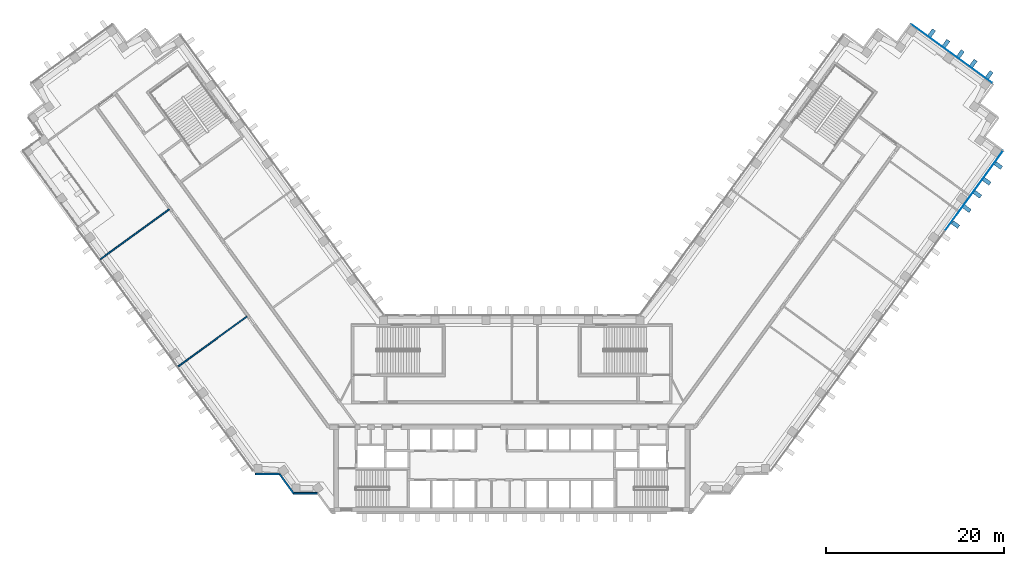
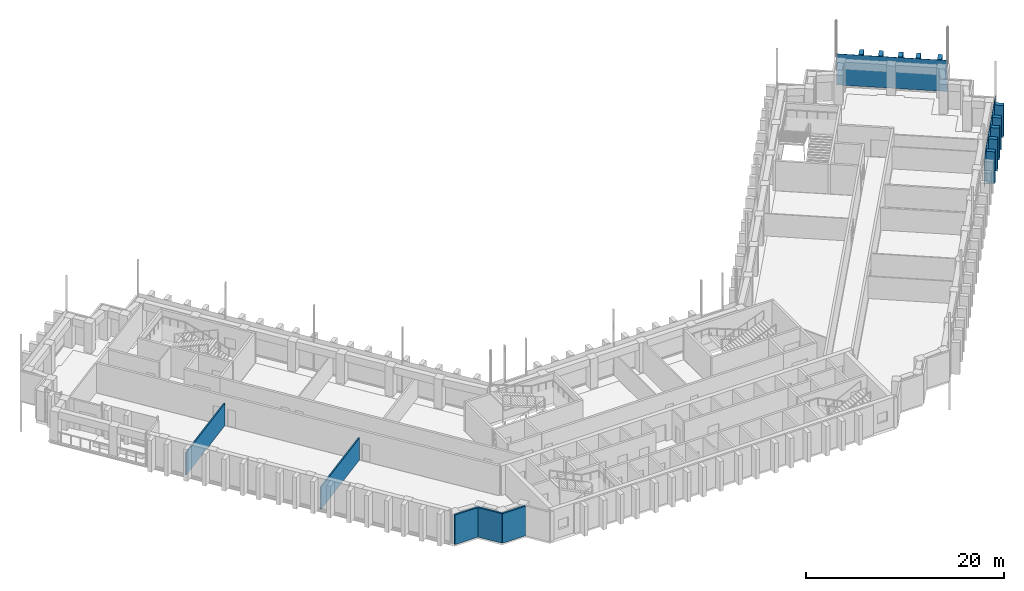
# One storey, part 10 of 19: 12 plates, 5 walls, 2 elements without a shape of their own.
"""IFC4 building model written with IfcOpenShell, lengths in metres."""

import ifcopenshell
import ifcopenshell.guid

model = None  # the IFC model being written
_history = None  # IfcOwnerHistory: only IFC2X3 demands one
_inside = {}  # id of a spatial element -> (the spatial element, [elements in it])
_under = {}  # id of a project, library or spatial element -> (it, [spatial elements below it])
_declared = {}  # id of a project -> (the project, [libraries it declares])
_typed = {}  # id of a type object -> (the type object, [elements of that type])
_made_of = {}  # id of a material, layer set ... -> (it, [elements and type objects made of it])


def new_model(schema):
    """Start an empty IFC model of exactly this schema.

    Asked for "IFC4X3", IfcOpenShell would pick the latest addendum, in which some entities
    have other attributes; the version numbers below select the first issue.
    IFC2X3 requires an IfcOwnerHistory on every rooted entity: one is made here for all.
    """
    global model, _history
    if schema == "IFC4X3":
        model = ifcopenshell.file(schema_version=(4, 3, 0, 0))
    else:
        model = ifcopenshell.file(schema=schema)
    _inside.clear()
    _under.clear()
    _declared.clear()
    _typed.clear()
    _made_of.clear()
    _history = None
    if model.schema == "IFC2X3":
        org = make("IfcOrganization", Name="unknown")
        user = make(
            "IfcPersonAndOrganization",
            ThePerson=make("IfcPerson", FamilyName="unknown"),
            TheOrganization=org,
        )
        app = make(
            "IfcApplication",
            ApplicationDeveloper=org,
            Version="unknown",
            ApplicationFullName="unknown",
            ApplicationIdentifier="unknown",
        )
        _history = make(
            "IfcOwnerHistory",
            OwningUser=user,
            OwningApplication=app,
            ChangeAction="ADDED",
            CreationDate=0,
        )
    return model


def make(cls, **values):
    """One entity of the class cls with the attributes given. An attribute that is None is left unset."""
    return model.create_entity(
        cls, **{name: value for name, value in values.items() if value is not None}
    )


def rooted(cls, **values):
    """An entity with a GlobalId (a new one), such as an element, a storey or a relation."""
    return make(cls, GlobalId=ifcopenshell.guid.new(), OwnerHistory=_history, **values)


def si_unit(unit_type, name, prefix=None):
    """IfcSIUnit, for example si_unit("LENGTHUNIT", "METRE", prefix="MILLI")."""
    return make("IfcSIUnit", UnitType=unit_type, Prefix=prefix, Name=name)


def assignment(units):
    """IfcUnitAssignment: the units of a project."""
    return None if units is None else make("IfcUnitAssignment", Units=units)


def point(xyz):
    """IfcCartesianPoint."""
    return None if xyz is None else make("IfcCartesianPoint", Coordinates=xyz)


def direction(xyz):
    """IfcDirection."""
    return None if xyz is None else make("IfcDirection", DirectionRatios=xyz)


def frame(location, z_axis=None, x_axis=None):
    """IfcAxis2Placement3D, a coordinate frame: its origin and axes. An axis left out is left unset."""
    return make(
        "IfcAxis2Placement3D",
        Location=point(location),
        Axis=direction(z_axis),
        RefDirection=direction(x_axis),
    )


def frame_2d(location, x_axis=None):
    """IfcAxis2Placement2D, a coordinate frame in the plane: its origin and x axis."""
    return make(
        "IfcAxis2Placement2D", Location=point(location), RefDirection=direction(x_axis)
    )


def origin():
    """The frame at (0, 0, 0) with its axes left unset."""
    return frame((0.0, 0.0, 0.0))


def origin_2d():
    """The frame at (0, 0) in the plane with its x axis left unset."""
    return frame_2d((0.0, 0.0))


def place(relative_to, where):
    """IfcLocalPlacement: puts the frame where relative to a parent placement (None: the world)."""
    return make(
        "IfcLocalPlacement", PlacementRelTo=relative_to, RelativePlacement=where
    )


def context(
    kind, dimensions, precision=None, world=None, true_north=None, identifier=None
):
    """IfcGeometricRepresentationContext, for example the 3D "Model" context."""
    return make(
        "IfcGeometricRepresentationContext",
        ContextIdentifier=identifier,
        ContextType=kind,
        CoordinateSpaceDimension=dimensions,
        Precision=precision,
        WorldCoordinateSystem=world,
        TrueNorth=true_north,
    )


def subcontext(parent, identifier, kind, view, scale=None):
    """IfcGeometricRepresentationSubContext, for example "Body" below "Model"."""
    return make(
        "IfcGeometricRepresentationSubContext",
        ContextIdentifier=identifier,
        ContextType=kind,
        ParentContext=parent,
        TargetScale=scale,
        TargetView=view,
    )


def project(units=None, contexts=None):
    """IfcProject with its units and contexts."""
    return rooted(
        "IfcProject",
        Name="project",
        RepresentationContexts=contexts,
        UnitsInContext=assignment(units),
    )


def spatial(cls, under=None, at=None, **own):
    """A site, building, storey or space (cls), placed at a placement, below another one or the project."""
    s = rooted(cls, ObjectPlacement=at, **own)
    if under is not None:
        _under.setdefault(under.id(), (under, []))[1].append(s)
    return s


def profile(cls, at=None, kind="AREA", **sizes):
    """A parametric profile (cls). Its sizes go by their IFC names, for example OverallWidth=200.0."""
    return make(cls, ProfileType=kind, Position=at, **sizes)


def rectangle(**sizes):
    """IfcRectangleProfileDef."""
    return profile("IfcRectangleProfileDef", **sizes)


def extrude(swept, where, along, depth):
    """IfcExtrudedAreaSolid: the profile swept, set in the frame where, extruded along a direction by depth."""
    return make(
        "IfcExtrudedAreaSolid",
        SweptArea=swept,
        Position=where,
        ExtrudedDirection=direction(along),
        Depth=depth,
    )


def shape(context_of_items, identifier, shape_type, items):
    """IfcShapeRepresentation: the items that make up one representation, for example the "Body"."""
    return make(
        "IfcShapeRepresentation",
        ContextOfItems=context_of_items,
        RepresentationIdentifier=identifier,
        RepresentationType=shape_type,
        Items=items,
    )


def material(Name=None, Category=None):
    """IfcMaterial."""
    return make("IfcMaterial", Name=Name, Category=Category)


def layer(
    of_material, thickness, ventilated=None, Name=None, Category=None, Priority=None
):
    """IfcMaterialLayer: one layer of a wall or slab, of a material (None: an air gap)."""
    return make(
        "IfcMaterialLayer",
        Material=of_material,
        LayerThickness=thickness,
        IsVentilated=ventilated,
        Name=Name,
        Category=Category,
        Priority=Priority,
    )


def layer_set(layers, Name=None):
    """IfcMaterialLayerSet."""
    return make("IfcMaterialLayerSet", MaterialLayers=layers, LayerSetName=Name)


def made_of(thing, what):
    """Note that an element or type object is made of a material, layer set ...; save() writes the relation."""
    if what is not None:
        _made_of.setdefault(what.id(), (what, []))[1].append(thing)
    return thing


def type_object(cls, material=None, **own):
    """A type object (cls), such as IfcWallType, which elements share."""
    return made_of(rooted(cls, **own), material)


def element(
    cls,
    number,
    at=None,
    inside=None,
    cuts=None,
    type_object=None,
    material=None,
    context=None,
    identifier="Body",
    shape_type=None,
    held_by="IfcProductDefinitionShape",
    body=None,
    shapes=None,
    **own,
):
    """One element of the class cls, such as IfcWall. Its Tag is "e" and its number.

    at: its placement. inside: the storey or other place that contains it. cuts: it is an
    opening in that element (IfcRelVoidsElement). A single representation is given by context,
    identifier, shape_type and body (its items); several are given by shapes. held_by: the class
    of the entity that holds the representations. save() writes the other relations.
    """
    e = rooted(cls, Tag="e%d" % number, ObjectPlacement=at, **own)
    if body is not None:
        shapes = [shape(context, identifier, shape_type, body)]
    if shapes is not None:
        e.Representation = make(held_by, Representations=shapes)
    if inside is not None:
        _inside.setdefault(inside.id(), (inside, []))[1].append(e)
    if cuts is not None:
        rooted(
            "IfcRelVoidsElement", RelatingBuildingElement=cuts, RelatedOpeningElement=e
        )
    if type_object is not None:
        _typed.setdefault(type_object.id(), (type_object, []))[1].append(e)
    return made_of(e, material)


def aggregate(whole, parts):
    """IfcRelAggregates: a whole, such as a stair, and the parts it consists of."""
    return rooted("IfcRelAggregates", RelatingObject=whole, RelatedObjects=parts)


def save(model, path):
    """Write the relations noted so far, then the file.

    IfcRelAggregates (storeys below a building ...), IfcRelContainedInSpatialStructure (elements
    in a storey), IfcRelDefinesByType, IfcRelAssociatesMaterial and IfcRelDeclares: one each for
    every whole, place, type object, material and project.
    """
    for whole, parts in _under.values():
        aggregate(whole, parts)
    for where, things in _inside.values():
        rooted(
            "IfcRelContainedInSpatialStructure",
            RelatedElements=things,
            RelatingStructure=where,
        )
    for kind, things in _typed.values():
        rooted("IfcRelDefinesByType", RelatedObjects=things, RelatingType=kind)
    for what, things in _made_of.values():
        rooted("IfcRelAssociatesMaterial", RelatedObjects=things, RelatingMaterial=what)
    for by, libraries in _declared.values():
        rooted("IfcRelDeclares", RelatingContext=by, RelatedDefinitions=libraries)
    model.write(path)


model = new_model("IFC4")

# Units and contexts
model_context = context("Model", 3, precision=1e-05, world=origin(), true_north=direction((0.0, 1.0)))
body_context = subcontext(model_context, "Body", "Model", "MODEL_VIEW")
ifc_project = project(units=[si_unit("LENGTHUNIT", "METRE"), si_unit("AREAUNIT", "SQUARE_METRE"), si_unit("VOLUMEUNIT", "CUBIC_METRE"), si_unit("PLANEANGLEUNIT", "RADIAN"), si_unit("MASSUNIT", "GRAM", prefix="KILO")], contexts=[model_context])

# Site, building, storey
site_placement = place(None, origin())
site = spatial("IfcSite", under=ifc_project, at=site_placement, CompositionType="ELEMENT")
building_placement = place(site_placement, origin())
building = spatial("IfcBuilding", under=site, at=building_placement, Name="Quipu Civic Tower", CompositionType="ELEMENT")
storey_placement = place(building_placement, frame((0.0, 0.0, 35.0)))
storey = spatial("IfcBuildingStorey", under=building, at=storey_placement, Name="L07", CompositionType="ELEMENT", Elevation=35.0)

# Curtain wall, plate
ifc_material_1 = material(Name="Insulated glass unit", Category="glass")
curtain_wall_type = type_object("IfcCurtainWallType", Name="Office curtain wall CW1", PredefinedType="NOTDEFINED", material=ifc_material_1)
curtain_wall_1_placement = place(storey_placement, origin())
curtain_wall_1 = element("IfcCurtainWall", 1, at=curtain_wall_1_placement, inside=storey, type_object=curtain_wall_type, Name="Office curtain wall CW1 L06 run 16", PredefinedType="NOTDEFINED")
ifc_material_2 = material(Name="Insulated glass unit", Category="glass")
ifc_layer_1 = layer(ifc_material_2, 0.028076171875)
ifc_layer_set_1 = layer_set([ifc_layer_1], Name="Insulated glass unit")
plate_type_1 = type_object("IfcPlateType", Name="Glass panel CW1", PredefinedType="CURTAIN_PANEL", material=ifc_layer_set_1)
plate_1_placement = place(storey_placement, frame((51.967529296875, 25.114990234375, 0.16015625), z_axis=(0.0, 0.0, 1.0), x_axis=(0.587785559869, 0.809016770908, 0.0)))
plate_1 = element("IfcPlate", 2, at=plate_1_placement, type_object=plate_type_1, Name="CW1 panel 4.2", PredefinedType="CURTAIN_PANEL", context=body_context, shape_type="SweptSolid", body=[
    extrude(rectangle(XDim=11.022705078125, YDim=0.028076171875, at=origin_2d()), origin(), (0.0, 0.0, 1.0), 3.840087890625),
])
aggregate(curtain_wall_1, [plate_1])

curtain_wall_2_placement = place(storey_placement, origin())
curtain_wall_2 = element("IfcCurtainWall", 3, at=curtain_wall_2_placement, inside=storey, type_object=curtain_wall_type, Name="Office curtain wall CW1 L06 run 21", PredefinedType="NOTDEFINED")
plate_2_placement = place(storey_placement, frame((49.447998046875, 40.53173828125, 0.16015625), z_axis=(0.0, 0.0, 1.0), x_axis=(-0.809019348124, 0.587782012621, 0.0)))
plate_2 = element("IfcPlate", 4, at=plate_2_placement, type_object=plate_type_1, Name="CW1 panel 1.2", PredefinedType="CURTAIN_PANEL", context=body_context, shape_type="SweptSolid", body=[
    extrude(rectangle(XDim=11.239990234375, YDim=0.028076171875, at=origin_2d()), origin(), (0.0, 0.0, 1.0), 3.840087890625),
])
aggregate(curtain_wall_2, [plate_2])

# Plates
ifc_material_3 = material(Name="Precast concrete C40/50", Category="concrete")
plate_type_2 = type_object("IfcPlateType", Name="Precast fin F1", PredefinedType="SHEET", material=ifc_material_3)
for number, where, z_axis, x_axis, name in (
    (5, (49.882080078125, 21.30908203125, 0.080078125), (0.0, 0.0, 1.0), (0.587785716149, 0.809016657363, 0.0), "Precast fin F1 L07.P13.18"),
    (6, (51.17529296875, 23.0888671875, 0.080078125), (0.0, 0.0, 1.0), (0.587785716149, 0.809016657363, 0.0), "Precast fin F1 L07.P13.19"),
    (7, (52.350830078125, 24.706787109375, 0.080078125), (0.0, 0.0, 1.0), (0.587785716149, 0.809016657363, 0.0), "Precast fin F1 L07.P13.20"),
    (8, (53.40869140625, 26.1630859375, 0.080078125), (0.0, 0.0, 1.0), (0.587785716149, 0.809016657363, 0.0), "Precast fin F1 L07.P13.21"),
    (9, (54.701904296875, 27.94287109375, 0.080078125), (0.0, 0.0, 1.0), (0.587785716149, 0.809016657363, 0.0), "Precast fin F1 L07.P13.22"),
    (10, (53.6748046875, 38.140625, 0.080078125), (0.0, 0.0, 1.0), (-0.809021318545, 0.587779300537, 0.0), "Precast fin F1 L07.P18.1"),
    (11, (51.89501953125, 39.433837890625, 0.080078125), (0.0, 0.0, 1.0), (-0.809021318545, 0.587779300537, 0.0), "Precast fin F1 L07.P18.2"),
    (12, (50.438720703125, 40.49169921875, 0.080078125), (0.0, 0.0, 1.0), (-0.809021318545, 0.587779300537, 0.0), "Precast fin F1 L07.P18.3"),
    (13, (48.82080078125, 41.66748046875, 0.080078125), (0.0, 0.0, 1.0), (-0.809021318545, 0.587779300537, 0.0), "Precast fin F1 L07.P18.4"),
    (14, (47.20263671875, 42.843017578125, 0.080078125), (0.0, 0.0, 1.0), (-0.809021318545, 0.587779300537, 0.0), "Precast fin F1 L07.P18.5"),
):
    element("IfcPlate", number, at=place(storey_placement, frame(where, z_axis=z_axis, x_axis=x_axis)), inside=storey, type_object=plate_type_2, Name=name, PredefinedType="SHEET", context=body_context, shape_type="SweptSolid", body=[
        extrude(rectangle(XDim=0.449951171875, YDim=0.89990234375, at=origin_2d()), origin(), (0.0, 0.0, 1.0), 3.919921875),
    ])

# Walls
ifc_material_4 = material(Name="Double gypsum plasterboard with mineral wool")
ifc_layer_2 = layer(ifc_material_4, 0.14990234375)
ifc_layer_set_2 = layer_set([ifc_layer_2], Name="Double gypsum plasterboard with mineral wool")
wall_type_1 = type_object("IfcWallType", Name="Acoustic partition 150 plasterboard", PredefinedType="PARTITIONING", material=ifc_layer_set_2)
wall_1_placement = place(storey_placement, frame((-46.247802734375, 17.41259765625, 0.0), z_axis=(0.0, 0.0, 1.0), x_axis=(0.80900684162, 0.587799226107, 0.0)))
element("IfcWall", 15, at=wall_1_placement, inside=storey, type_object=wall_type_1, Name="Partition P11", PredefinedType="PARTITIONING", context=body_context, shape_type="SweptSolid", body=[
    extrude(rectangle(XDim=9.550048828125, YDim=0.14990234375, at=frame_2d((4.77490234375, 0.0))), origin(), (0.0, 0.0, 1.0), 2.75),
])
wall_2_placement = place(storey_placement, frame((-29.769287109375, 10.979736328125, 0.0), z_axis=(0.0, 0.0, 1.0), x_axis=(-0.809048817734, -0.587741448702, 0.0)))
element("IfcWall", 16, at=wall_2_placement, inside=storey, type_object=wall_type_1, Name="Partition P12", PredefinedType="PARTITIONING", context=body_context, shape_type="SweptSolid", body=[
    extrude(rectangle(XDim=9.55029296875, YDim=0.14990234375, at=frame_2d((4.775146484375, 0.0))), origin(), (0.0, 0.0, 1.0), 2.75),
])
ifc_material_5 = material(Name="Precast concrete C40/50", Category="concrete")
wall_type_2 = type_object("IfcWallType", Name="Precast cladding wall", PredefinedType="SOLIDWALL", material=ifc_material_5)
wall_3_placement = place(storey_placement, frame((-28.829833984375, -6.71923828125, 0.0), z_axis=(0.0, 0.0, 1.0), x_axis=(1.0, 0.0, 0.0)))
element("IfcWall", 17, at=wall_3_placement, inside=storey, type_object=wall_type_2, Name="Precast cladding wall L07 P01", PredefinedType="SOLIDWALL", context=body_context, shape_type="SweptSolid", body=[
    extrude(rectangle(XDim=2.699951171875, YDim=0.199951171875, at=frame_2d((1.35009765625, 0.0))), origin(), (0.0, 0.0, 1.0), 3.64990234375),
])
wall_4_placement = place(storey_placement, frame((-26.1201171875, -6.72412109375, 0.0), z_axis=(0.0, 0.0, 1.0), x_axis=(0.587720002413, -0.809064397168, 0.0)))
element("IfcWall", 18, at=wall_4_placement, inside=storey, type_object=wall_type_2, Name="Precast cladding wall L07 P02", PredefinedType="SOLIDWALL", context=body_context, shape_type="SweptSolid", body=[
    extrude(rectangle(XDim=2.7001953125, YDim=0.199951171875, at=frame_2d((1.35009765625, 0.0))), origin(), (0.0, 0.0, 1.0), 3.64990234375),
])
wall_5_placement = place(storey_placement, frame((-24.542724609375, -8.90380859375, 0.0), z_axis=(0.0, 0.0, 1.0), x_axis=(1.0, 0.0, 0.0)))
element("IfcWall", 19, at=wall_5_placement, inside=storey, type_object=wall_type_2, Name="Precast cladding wall L07 P03", PredefinedType="SOLIDWALL", context=body_context, shape_type="SweptSolid", body=[
    extrude(rectangle(XDim=2.699951171875, YDim=0.199951171875, at=frame_2d((1.35009765625, 0.0))), origin(), (0.0, 0.0, 1.0), 3.64990234375),
])

save(model, "model.ifc")
